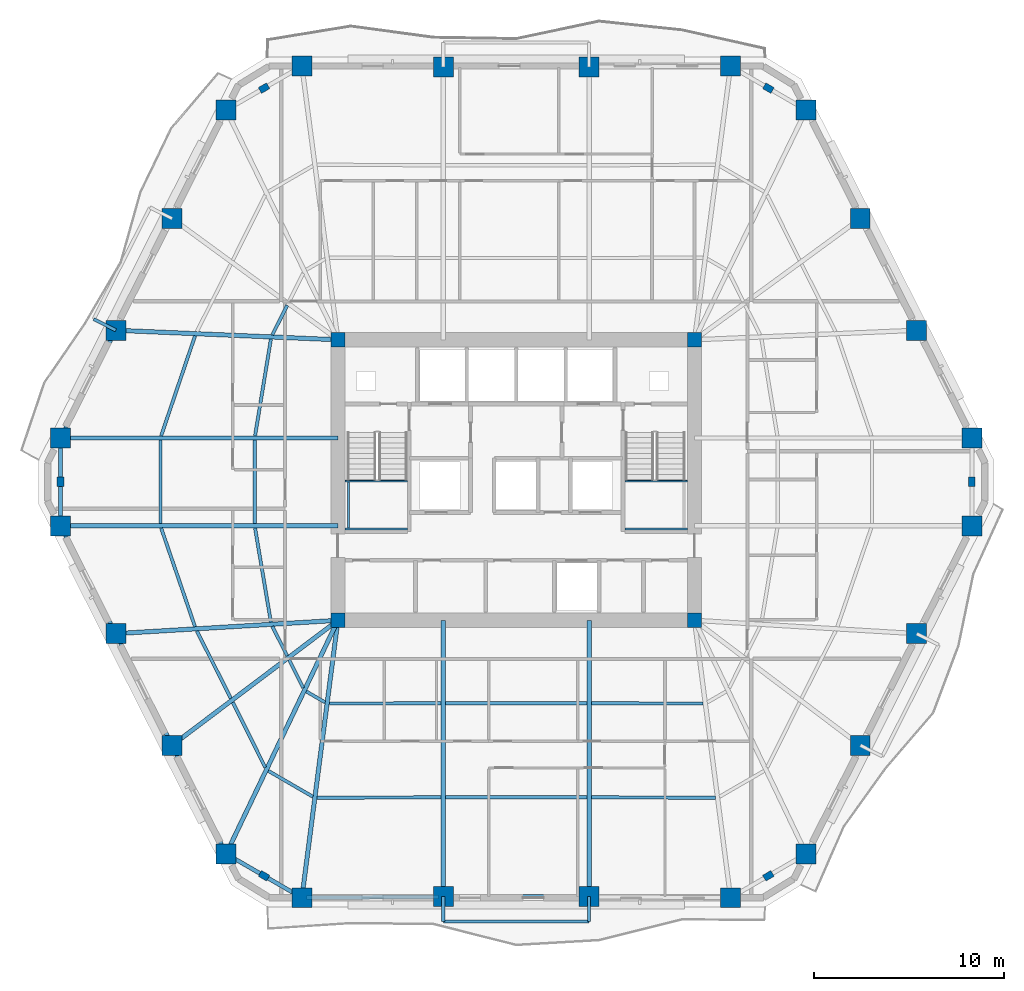
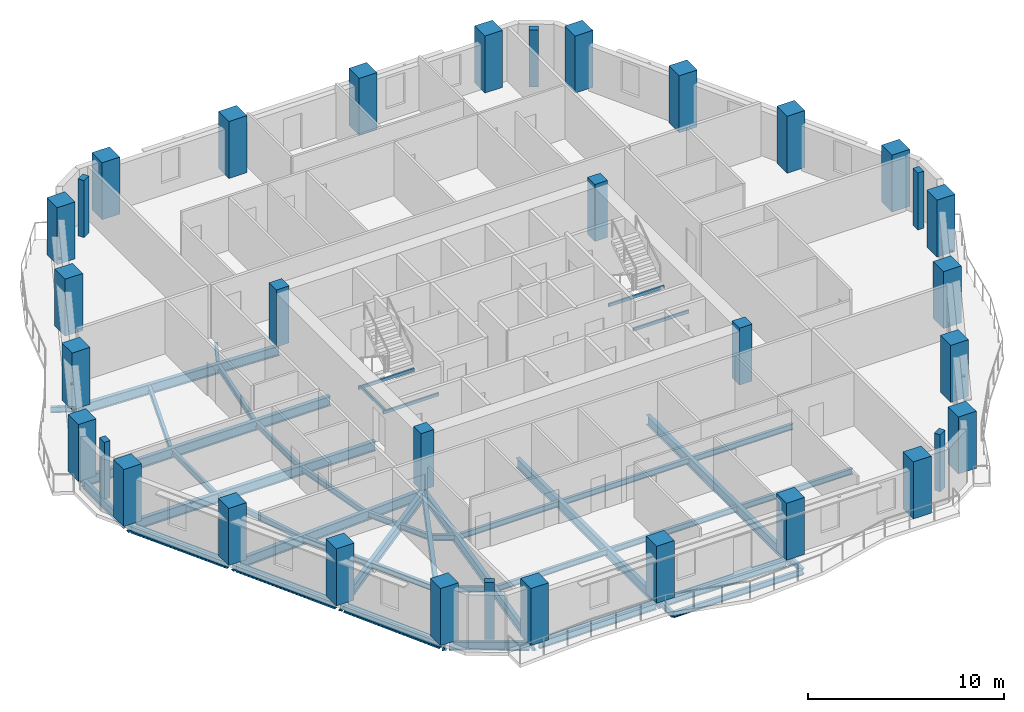
# One storey, part 1 of 12: 45 beams, 34 columns.
"""IFC4 building model written with IfcOpenShell, lengths in metres."""

from ifc_helpers import new_model, si_unit, direction, frame, origin, origin_2d, place, context, subcontext, project, spatial, rectangle, hollow_rectangle, i_section, extrude, material, material_profile, profile_set, type_object, element, save


model = new_model("IFC4")

# Units and contexts
model_context = context("Model", 3, precision=1e-05, world=origin(), true_north=direction((0.0, 1.0)))
body_context = subcontext(model_context, "Body", "Model", "MODEL_VIEW")
ifc_project = project(units=[si_unit("LENGTHUNIT", "METRE"), si_unit("AREAUNIT", "SQUARE_METRE"), si_unit("VOLUMEUNIT", "CUBIC_METRE"), si_unit("PLANEANGLEUNIT", "RADIAN"), si_unit("MASSUNIT", "GRAM", prefix="KILO")], contexts=[model_context])

# Site, building, storey
site_placement = place(None, origin())
site = spatial("IfcSite", under=ifc_project, at=site_placement, CompositionType="ELEMENT")
building_placement = place(site_placement, origin())
building = spatial("IfcBuilding", under=site, at=building_placement, Name="Cinnabar Lancet Tower", CompositionType="ELEMENT")
storey_placement = place(building_placement, frame((0.0, 0.0, 141.0)))
storey = spatial("IfcBuildingStorey", under=building, at=storey_placement, Name="L37", CompositionType="ELEMENT", Elevation=141.0)

# Columns
ifc_material_1 = material(Name="Concrete C70/85", Category="concrete")
ifc_material_profile_1 = material_profile(ifc_material_1, rectangle(XDim=0.75, YDim=0.75, at=origin_2d()), Name="RC-COL 750x750")
ifc_profile_set_1 = profile_set([ifc_material_profile_1], Name="Concrete C70/85")
column_type_1 = type_object("IfcColumnType", Name="STR-COL-CORE-750", PredefinedType="COLUMN", material=ifc_profile_set_1)
for number, where, z_axis, x_axis, name in (
    (1, (23.02490234375, 18.52490234375, 0.0), (0.0, 0.0, 1.0), (1.0, 0.0, 0.0), "L37 Core Corner Column SW"),
    (2, (41.77490234375, 18.52490234375, 0.0), (0.0, 0.0, 1.0), (1.0, 0.0, 0.0), "L37 Core Corner Column SE"),
    (3, (41.77490234375, 33.27490234375, 0.0), (0.0, 0.0, 1.0), (1.0, 0.0, 0.0), "L37 Core Corner Column NE"),
    (4, (23.02490234375, 33.27490234375, 0.0), (0.0, 0.0, 1.0), (1.0, 0.0, 0.0), "L37 Core Corner Column NW"),
):
    element("IfcColumn", number, at=place(storey_placement, frame(where, z_axis=z_axis, x_axis=x_axis)), inside=storey, type_object=column_type_1, Name=name, PredefinedType="COLUMN", context=body_context, shape_type="SweptSolid", body=[
        extrude(rectangle(XDim=0.75, YDim=0.75, at=origin_2d()), origin(), (0.0, 0.0, 1.0), 3.550048828125),
    ])
ifc_material_2 = material(Name="Concrete C60/75", Category="concrete")
ifc_material_profile_2 = material_profile(ifc_material_2, rectangle(XDim=0.5, YDim=0.35009765625, at=origin_2d()), Name="RC-PIL 500x350")
ifc_profile_set_2 = profile_set([ifc_material_profile_2], Name="Concrete C60/75")
column_type_2 = type_object("IfcColumnType", Name="STR-COL-PIL-500", PredefinedType="PILASTER", material=ifc_profile_set_2)
for number, where, z_axis, x_axis, name in (
    (5, (19.14111328125, 5.093017578125, 0.0), (0.0, 0.0, 1.0), (0.865160173452, -0.501495637342, 0.0), "L37 Chamfered Corner Pilaster 1"),
    (6, (45.658935546875, 5.093017578125, 0.0), (0.0, 0.0, 1.0), (0.865160173452, 0.501495637342, 0.0), "L37 Chamfered Corner Pilaster 2"),
    (7, (56.35693359375, 25.800048828125, 0.0), (0.0, 0.0, 1.0), (0.0, 1.0, 0.0), "L37 Chamfered Corner Pilaster 3"),
    (8, (45.658935546875, 46.508056640625, 0.0), (0.0, 0.0, 1.0), (-0.865160173452, 0.501495637342, 0.0), "L37 Chamfered Corner Pilaster 4"),
    (9, (19.14111328125, 46.508056640625, 0.0), (0.0, 0.0, 1.0), (-0.865160173452, -0.501495637342, 0.0), "L37 Chamfered Corner Pilaster 5"),
    (10, (8.443115234375, 25.800048828125, 0.0), (0.0, 0.0, 1.0), (0.0, -1.0, 0.0), "L37 Chamfered Corner Pilaster 6"),
):
    element("IfcColumn", number, at=place(storey_placement, frame(where, z_axis=z_axis, x_axis=x_axis)), inside=storey, type_object=column_type_2, Name=name, PredefinedType="PILASTER", context=body_context, shape_type="SweptSolid", body=[
        extrude(rectangle(XDim=0.5, YDim=0.35009765625, at=origin_2d()), origin(), (0.0, 0.0, 1.0), 3.550048828125),
    ])
ifc_material_3 = material(Name="Concrete C70/85", Category="concrete")
ifc_material_profile_3 = material_profile(ifc_material_3, rectangle(XDim=1.050048828125, YDim=1.050048828125, at=origin_2d()), Name="RC-COL 1050x1050")
ifc_profile_set_3 = profile_set([ifc_material_profile_3], Name="Concrete C70/85")
column_type_3 = type_object("IfcColumnType", Name="STR-COL-TUBE-1050", PredefinedType="COLUMN", material=ifc_profile_set_3)
for number, where, z_axis, x_axis, name in (
    (11, (21.131103515625, 3.93896484375, 0.0), (0.0, 0.0, 1.0), (1.0, 0.0, 0.0), "L37 Perimeter Tube Column 1"),
    (12, (28.568115234375, 3.991943359375, 0.0), (0.0, 0.0, 1.0), (1.0, 0.0, 0.0), "L37 Perimeter Tube Column 2"),
    (13, (36.23193359375, 3.991943359375, 0.0), (0.0, 0.0, 1.0), (1.0, 0.0, 0.0), "L37 Perimeter Tube Column 3"),
    (14, (43.6689453125, 3.93896484375, 0.0), (0.0, 0.0, 1.0), (1.0, 0.0, 0.0), "L37 Perimeter Tube Column 4"),
    (15, (47.64892578125, 6.24609375, 0.0), (0.0, 0.0, 1.0), (1.0, 0.0, 0.0), "L37 Perimeter Tube Column 5"),
    (16, (50.489013671875, 11.955078125, 0.0), (0.0, 0.0, 1.0), (1.0, 0.0, 0.0), "L37 Perimeter Tube Column 6"),
    (17, (53.451904296875, 17.823974609375, 0.0), (0.0, 0.0, 1.0), (1.0, 0.0, 0.0), "L37 Perimeter Tube Column 7"),
    (18, (56.35693359375, 23.490966796875, 0.0), (0.0, 0.0, 1.0), (1.0, 0.0, 0.0), "L37 Perimeter Tube Column 8"),
    (19, (56.35693359375, 28.10888671875, 0.0), (0.0, 0.0, 1.0), (1.0, 0.0, 0.0), "L37 Perimeter Tube Column 9"),
    (20, (53.451904296875, 33.77587890625, 0.0), (0.0, 0.0, 1.0), (1.0, 0.0, 0.0), "L37 Perimeter Tube Column 10"),
    (21, (50.489013671875, 39.64501953125, 0.0), (0.0, 0.0, 1.0), (1.0, 0.0, 0.0), "L37 Perimeter Tube Column 11"),
    (22, (47.64892578125, 45.35400390625, 0.0), (0.0, 0.0, 1.0), (1.0, 0.0, 0.0), "L37 Perimeter Tube Column 12"),
    (23, (43.6689453125, 47.660888671875, 0.0), (0.0, 0.0, 1.0), (1.0, 0.0, 0.0), "L37 Perimeter Tube Column 13"),
    (24, (36.23193359375, 47.60791015625, 0.0), (0.0, 0.0, 1.0), (1.0, 0.0, 0.0), "L37 Perimeter Tube Column 14"),
    (25, (28.568115234375, 47.60791015625, 0.0), (0.0, 0.0, 1.0), (1.0, 0.0, 0.0), "L37 Perimeter Tube Column 15"),
    (26, (21.131103515625, 47.660888671875, 0.0), (0.0, 0.0, 1.0), (1.0, 0.0, 0.0), "L37 Perimeter Tube Column 16"),
    (27, (17.15087890625, 45.35400390625, 0.0), (0.0, 0.0, 1.0), (1.0, 0.0, 0.0), "L37 Perimeter Tube Column 17"),
    (28, (14.31103515625, 39.64501953125, 0.0), (0.0, 0.0, 1.0), (1.0, 0.0, 0.0), "L37 Perimeter Tube Column 18"),
    (29, (11.347900390625, 33.77587890625, 0.0), (0.0, 0.0, 1.0), (1.0, 0.0, 0.0), "L37 Perimeter Tube Column 19"),
    (30, (8.443115234375, 28.10888671875, 0.0), (0.0, 0.0, 1.0), (1.0, 0.0, 0.0), "L37 Perimeter Tube Column 20"),
    (31, (8.443115234375, 23.490966796875, 0.0), (0.0, 0.0, 1.0), (1.0, 0.0, 0.0), "L37 Perimeter Tube Column 21"),
    (32, (11.347900390625, 17.823974609375, 0.0), (0.0, 0.0, 1.0), (1.0, 0.0, 0.0), "L37 Perimeter Tube Column 22"),
    (33, (14.31103515625, 11.955078125, 0.0), (0.0, 0.0, 1.0), (1.0, 0.0, 0.0), "L37 Perimeter Tube Column 23"),
    (34, (17.15087890625, 6.24609375, 0.0), (0.0, 0.0, 1.0), (1.0, 0.0, 0.0), "L37 Perimeter Tube Column 24"),
):
    element("IfcColumn", number, at=place(storey_placement, frame(where, z_axis=z_axis, x_axis=x_axis)), inside=storey, type_object=column_type_3, Name=name, PredefinedType="COLUMN", context=body_context, shape_type="SweptSolid", body=[
        extrude(rectangle(XDim=1.050048828125, YDim=1.050048828125, at=origin_2d()), origin(), (0.0, 0.0, 1.0), 3.550048828125),
    ])

# Beams
ifc_material_4 = material(Name="Structural steel S355", Category="steel")
ifc_material_profile_4 = material_profile(ifc_material_4, i_section(OverallWidth=0.17138671875, OverallDepth=0.35498046875, WebThickness=0.00732421875, FlangeThickness=0.011474609375, FilletRadius=0.01025390625, at=origin_2d()), Name="UKB 356x171x51")
ifc_profile_set_4 = profile_set([ifc_material_profile_4], Name="Structural steel S355")
beam_type_1 = type_object("IfcBeamType", Name="STR-BM-JST-356", PredefinedType="JOIST", material=ifc_profile_set_4)
beam_1_placement = place(storey_placement, frame((13.73193359375, 23.376953125, -0.387939453125), z_axis=(0.324639458548, -0.945837841257, 0.0), x_axis=(0.945837841257, 0.324639458548, 0.0)))
element("IfcBeam", 35, at=beam_1_placement, inside=storey, type_object=beam_type_1, Name="L37 Secondary Floor Joist 1", PredefinedType="JOIST", context=body_context, shape_type="SweptSolid", body=[
    extrude(i_section(OverallWidth=0.17138671875, OverallDepth=0.35498046875, WebThickness=0.00732421875, FlangeThickness=0.011474609375, FilletRadius=0.01025390625, at=origin_2d()), origin(), (0.0, 0.0, 1.0), 5.486083984375),
])
beam_2_placement = place(storey_placement, frame((18.669921875, 23.376953125, -0.387939453125), z_axis=(0.165984412241, -0.986128376477, 0.0), x_axis=(0.986128376477, 0.165984412241, 0.0)))
element("IfcBeam", 36, at=beam_2_placement, inside=storey, type_object=beam_type_1, Name="L37 Secondary Floor Joist 2", PredefinedType="JOIST", context=body_context, shape_type="SweptSolid", body=[
    extrude(i_section(OverallWidth=0.17138671875, OverallDepth=0.35498046875, WebThickness=0.00732421875, FlangeThickness=0.011474609375, FilletRadius=0.01025390625, at=origin_2d()), origin(), (0.0, 0.0, 1.0), 5.0185546875),
])
beam_3_placement = place(storey_placement, frame((15.60791015625, 17.965087890625, -0.387939453125), z_axis=(0.450755070916, -0.892647671841, 0.0), x_axis=(0.892647671841, 0.450755070916, 0.0)))
element("IfcBeam", 37, at=beam_3_placement, inside=storey, type_object=beam_type_1, Name="L37 Secondary Floor Joist 3", PredefinedType="JOIST", context=body_context, shape_type="SweptSolid", body=[
    extrude(i_section(OverallWidth=0.17138671875, OverallDepth=0.35498046875, WebThickness=0.00732421875, FlangeThickness=0.011474609375, FilletRadius=0.01025390625, at=origin_2d()), origin(), (0.0, 0.0, 1.0), 3.966796875),
])
beam_4_placement = place(storey_placement, frame((19.577880859375, 18.2041015625, -0.387939453125), z_axis=(0.450874341268, -0.892587434589, 0.0), x_axis=(0.892587434589, 0.450874341268, 0.0)))
element("IfcBeam", 38, at=beam_4_placement, inside=storey, type_object=beam_type_1, Name="L37 Secondary Floor Joist 4", PredefinedType="JOIST", context=body_context, shape_type="SweptSolid", body=[
    extrude(i_section(OverallWidth=0.17138671875, OverallDepth=0.35498046875, WebThickness=0.00732421875, FlangeThickness=0.011474609375, FilletRadius=0.01025390625, at=origin_2d()), origin(), (0.0, 0.0, 1.0), 1.732177734375),
])
beam_5_placement = place(storey_placement, frame((17.5, 14.216064453125, -0.387939453125), z_axis=(0.445295120803, -0.895383859241, 0.0), x_axis=(0.895383859241, 0.445295120803, 0.0)))
element("IfcBeam", 39, at=beam_5_placement, inside=storey, type_object=beam_type_1, Name="L37 Secondary Floor Joist 5", PredefinedType="JOIST", context=body_context, shape_type="SweptSolid", body=[
    extrude(i_section(OverallWidth=0.17138671875, OverallDepth=0.35498046875, WebThickness=0.00732421875, FlangeThickness=0.011474609375, FilletRadius=0.01025390625, at=origin_2d()), origin(), (0.0, 0.0, 1.0), 3.81982421875),
])
beam_6_placement = place(storey_placement, frame((20.4619140625, 16.449951171875, -0.387939453125), z_axis=(0.445557690111, -0.895253229418, 0.0), x_axis=(0.895253229418, 0.445557690111, 0.0)))
element("IfcBeam", 40, at=beam_6_placement, inside=storey, type_object=beam_type_1, Name="L37 Secondary Floor Joist 6", PredefinedType="JOIST", context=body_context, shape_type="SweptSolid", body=[
    extrude(i_section(OverallWidth=0.17138671875, OverallDepth=0.35498046875, WebThickness=0.00732421875, FlangeThickness=0.011474609375, FilletRadius=0.01025390625, at=origin_2d()), origin(), (0.0, 0.0, 1.0), 1.652099609375),
])
beam_7_placement = place(storey_placement, frame((19.364990234375, 10.60888671875, -0.387939453125), z_axis=(0.865172906898, -0.501473669469, 0.0), x_axis=(0.501473669469, 0.865172906898, 0.0)))
element("IfcBeam", 41, at=beam_7_placement, inside=storey, type_object=beam_type_1, Name="L37 Secondary Floor Joist 7", PredefinedType="JOIST", context=body_context, shape_type="SweptSolid", body=[
    extrude(i_section(OverallWidth=0.17138671875, OverallDepth=0.35498046875, WebThickness=0.00732421875, FlangeThickness=0.011474609375, FilletRadius=0.01025390625, at=origin_2d()), origin(), (0.0, 0.0, 1.0), 2.705810546875),
])
beam_8_placement = place(storey_placement, frame((21.362060546875, 14.783935546875, -0.387939453125), z_axis=(0.865055308165, -0.501676503154, 0.0), x_axis=(0.501676503154, 0.865055308165, 0.0)))
element("IfcBeam", 42, at=beam_8_placement, inside=storey, type_object=beam_type_1, Name="L37 Secondary Floor Joist 8", PredefinedType="JOIST", context=body_context, shape_type="SweptSolid", body=[
    extrude(i_section(OverallWidth=0.17138671875, OverallDepth=0.35498046875, WebThickness=0.00732421875, FlangeThickness=0.011474609375, FilletRadius=0.01025390625, at=origin_2d()), origin(), (0.0, 0.0, 1.0), 1.14208984375),
])
beam_9_placement = place(storey_placement, frame((21.927978515625, 9.19091796875, -0.387939453125), z_axis=(0.999987991898, 0.004900618269, 0.0), x_axis=(-0.004900618269, 0.999987991898, 0.0)))
element("IfcBeam", 43, at=beam_9_placement, inside=storey, type_object=beam_type_1, Name="L37 Secondary Floor Joist 9", PredefinedType="JOIST", context=body_context, shape_type="SweptSolid", body=[
    extrude(i_section(OverallWidth=0.17138671875, OverallDepth=0.35498046875, WebThickness=0.00732421875, FlangeThickness=0.011474609375, FilletRadius=0.01025390625, at=origin_2d()), origin(), (0.0, 0.0, 1.0), 6.526123046875),
])
beam_10_placement = place(storey_placement, frame((22.572021484375, 14.14892578125, -0.387939453125), z_axis=(0.999996247906, 0.002739374605, 0.0), x_axis=(-0.002739374605, 0.999996247906, 0.0)))
element("IfcBeam", 44, at=beam_10_placement, inside=storey, type_object=beam_type_1, Name="L37 Secondary Floor Joist 10", PredefinedType="JOIST", context=body_context, shape_type="SweptSolid", body=[
    extrude(i_section(OverallWidth=0.17138671875, OverallDepth=0.35498046875, WebThickness=0.00732421875, FlangeThickness=0.011474609375, FilletRadius=0.01025390625, at=origin_2d()), origin(), (0.0, 0.0, 1.0), 5.882080078125),
])
for number, where, z_axis, x_axis, name in (
    (45, (28.681884765625, 9.22412109375, -0.387939453125), (1.0, 0.0, 0.0), (0.0, 1.0, 0.0), "L37 Secondary Floor Joist 11"),
    (46, (28.681884765625, 14.1650390625, -0.387939453125), (1.0, 0.0, 0.0), (0.0, 1.0, 0.0), "L37 Secondary Floor Joist 12"),
):
    element("IfcBeam", number, at=place(storey_placement, frame(where, z_axis=z_axis, x_axis=x_axis)), inside=storey, type_object=beam_type_1, Name=name, PredefinedType="JOIST", context=body_context, shape_type="SweptSolid", body=[
        extrude(i_section(OverallWidth=0.17138671875, OverallDepth=0.35498046875, WebThickness=0.00732421875, FlangeThickness=0.011474609375, FilletRadius=0.01025390625, at=origin_2d()), origin(), (0.0, 0.0, 1.0), 7.43603515625),
    ])
beam_11_placement = place(storey_placement, frame((36.345947265625, 9.222900390625, -0.387939453125), z_axis=(0.999987991898, -0.004900618269, 0.0), x_axis=(0.004900618269, 0.999987991898, 0.0)))
element("IfcBeam", 47, at=beam_11_placement, inside=storey, type_object=beam_type_1, Name="L37 Secondary Floor Joist 13", PredefinedType="JOIST", context=body_context, shape_type="SweptSolid", body=[
    extrude(i_section(OverallWidth=0.17138671875, OverallDepth=0.35498046875, WebThickness=0.00732421875, FlangeThickness=0.011474609375, FilletRadius=0.01025390625, at=origin_2d()), origin(), (0.0, 0.0, 1.0), 6.526123046875),
])
beam_12_placement = place(storey_placement, frame((36.345947265625, 14.1650390625, -0.387939453125), z_axis=(0.999996247906, -0.002739374605, 0.0), x_axis=(0.002739374605, 0.999996247906, 0.0)))
element("IfcBeam", 48, at=beam_12_placement, inside=storey, type_object=beam_type_1, Name="L37 Secondary Floor Joist 14", PredefinedType="JOIST", context=body_context, shape_type="SweptSolid", body=[
    extrude(i_section(OverallWidth=0.17138671875, OverallDepth=0.35498046875, WebThickness=0.00732421875, FlangeThickness=0.011474609375, FilletRadius=0.01025390625, at=origin_2d()), origin(), (0.0, 0.0, 1.0), 5.882080078125),
])
beam_13_placement = place(storey_placement, frame((20.35888671875, 35.0830078125, -0.387939453125), z_axis=(-0.450931068976, -0.892558777354, 0.0), x_axis=(0.892558777354, -0.450931068976, 0.0)))
element("IfcBeam", 49, at=beam_13_placement, inside=storey, type_object=beam_type_1, Name="L37 Secondary Floor Joist 44", PredefinedType="JOIST", context=body_context, shape_type="SweptSolid", body=[
    extrude(i_section(OverallWidth=0.17138671875, OverallDepth=0.35498046875, WebThickness=0.00732421875, FlangeThickness=0.011474609375, FilletRadius=0.01025390625, at=origin_2d()), origin(), (0.0, 0.0, 1.0), 1.73193359375),
])
beam_14_placement = place(storey_placement, frame((15.513916015625, 33.48291015625, -0.387939453125), z_axis=(-0.321023911172, -0.947071089442, 0.0), x_axis=(0.947071089442, -0.321023911172, 0.0)))
element("IfcBeam", 50, at=beam_14_placement, inside=storey, type_object=beam_type_1, Name="L37 Secondary Floor Joist 45", PredefinedType="JOIST", context=body_context, shape_type="SweptSolid", body=[
    extrude(i_section(OverallWidth=0.17138671875, OverallDepth=0.35498046875, WebThickness=0.00732421875, FlangeThickness=0.011474609375, FilletRadius=0.01025390625, at=origin_2d()), origin(), (0.0, 0.0, 1.0), 5.553955078125),
])
beam_15_placement = place(storey_placement, frame((19.5029296875, 33.31201171875, -0.387939453125), z_axis=(-0.161719098977, -0.986836832017, 0.0), x_axis=(0.986836832017, -0.161719098977, 0.0)))
element("IfcBeam", 51, at=beam_15_placement, inside=storey, type_object=beam_type_1, Name="L37 Secondary Floor Joist 46", PredefinedType="JOIST", context=body_context, shape_type="SweptSolid", body=[
    extrude(i_section(OverallWidth=0.17138671875, OverallDepth=0.35498046875, WebThickness=0.00732421875, FlangeThickness=0.011474609375, FilletRadius=0.01025390625, at=origin_2d()), origin(), (0.0, 0.0, 1.0), 5.156982421875),
])
for number, where, z_axis, x_axis, name in (
    (52, (13.693115234375, 27.9951171875, -0.387939453125), (0.0, -1.0, 0.0), (1.0, 0.0, 0.0), "L37 Secondary Floor Joist 47"),
    (53, (18.64990234375, 27.9951171875, -0.387939453125), (0.0, -1.0, 0.0), (1.0, 0.0, 0.0), "L37 Secondary Floor Joist 48"),
):
    element("IfcBeam", number, at=place(storey_placement, frame(where, z_axis=z_axis, x_axis=x_axis)), inside=storey, type_object=beam_type_1, Name=name, PredefinedType="JOIST", context=body_context, shape_type="SweptSolid", body=[
        extrude(i_section(OverallWidth=0.17138671875, OverallDepth=0.35498046875, WebThickness=0.00732421875, FlangeThickness=0.011474609375, FilletRadius=0.01025390625, at=origin_2d()), origin(), (0.0, 0.0, 1.0), 4.39013671875),
    ])
ifc_material_5 = material(Name="Structural steel S355", Category="steel")
ifc_material_profile_5 = material_profile(ifc_material_5, hollow_rectangle(XDim=0.10009765625, YDim=0.199951171875, WallThickness=0.008056640625, InnerFilletRadius=0.00390625, OuterFilletRadius=0.011962890625, at=origin_2d()), Name="RHS 200x100x8")
ifc_profile_set_5 = profile_set([ifc_material_profile_5], Name="Structural steel S355")
beam_type_2 = type_object("IfcBeamType", Name="STR-BM-LND-203", PredefinedType="BEAM", material=ifc_profile_set_5)
for number, where, z_axis, x_axis, name in (
    (54, (23.39990234375, 23.330078125, 1.47509765625), (1.0, 0.0, 0.0), (0.0, 1.0, 0.0), "L37 ST-1-L37 Landing Support Beam S"),
    (55, (23.39990234375, 25.844970703125, 1.47509765625), (1.0, 0.0, 0.0), (0.0, 1.0, 0.0), "L37 ST-1-L37 Landing Support Beam N"),
):
    element("IfcBeam", number, at=place(storey_placement, frame(where, z_axis=z_axis, x_axis=x_axis)), inside=storey, type_object=beam_type_2, Name=name, PredefinedType="BEAM", context=body_context, shape_type="SweptSolid", body=[
        extrude(hollow_rectangle(XDim=0.10009765625, YDim=0.199951171875, WallThickness=0.008056640625, InnerFilletRadius=0.00390625, OuterFilletRadius=0.011962890625, at=origin_2d()), origin(), (0.0, 0.0, 1.0), 3.280029296875),
    ])
beam_16_placement = place(storey_placement, frame((23.580078125, 23.3798828125, 1.47509765625), z_axis=(0.0, 1.0, 0.0), x_axis=(-1.0, 0.0, 0.0)))
element("IfcBeam", 56, at=beam_16_placement, inside=storey, type_object=beam_type_2, Name="L37 ST-1-L37 Landing Side Trimmer Beam", PredefinedType="BEAM", context=body_context, shape_type="SweptSolid", body=[
    extrude(hollow_rectangle(XDim=0.10009765625, YDim=0.199951171875, WallThickness=0.008056640625, InnerFilletRadius=0.00390625, OuterFilletRadius=0.011962890625, at=origin_2d()), origin(), (0.0, 0.0, 1.0), 2.4150390625),
])
for number, where, z_axis, x_axis, name in (
    (57, (38.1201171875, 23.330078125, 1.47509765625), (1.0, 0.0, 0.0), (0.0, 1.0, 0.0), "L37 ST-2-L37 Landing Support Beam S"),
    (58, (38.1201171875, 25.844970703125, 1.47509765625), (1.0, 0.0, 0.0), (0.0, 1.0, 0.0), "L37 ST-2-L37 Landing Support Beam N"),
):
    element("IfcBeam", number, at=place(storey_placement, frame(where, z_axis=z_axis, x_axis=x_axis)), inside=storey, type_object=beam_type_2, Name=name, PredefinedType="BEAM", context=body_context, shape_type="SweptSolid", body=[
        extrude(hollow_rectangle(XDim=0.10009765625, YDim=0.199951171875, WallThickness=0.008056640625, InnerFilletRadius=0.00390625, OuterFilletRadius=0.011962890625, at=origin_2d()), origin(), (0.0, 0.0, 1.0), 3.27978515625),
    ])
ifc_material_6 = material(Name="Structural steel S355", Category="steel")
ifc_material_profile_6 = material_profile(ifc_material_6, i_section(OverallWidth=0.209228515625, OverallDepth=0.533203125, WebThickness=0.010009765625, FlangeThickness=0.015625, FilletRadius=0.0126953125, at=origin_2d()), Name="UKB 533x210x92")
ifc_profile_set_6 = profile_set([ifc_material_profile_6], Name="Structural steel S355")
beam_type_3 = type_object("IfcBeamType", Name="STR-BM-SPN-533", PredefinedType="SPANDREL", material=ifc_profile_set_6)
beam_17_placement = place(storey_placement, frame((21.381103515625, 3.94091796875, -0.47705078125), z_axis=(0.999974980359, 0.007073800628, 0.0), x_axis=(-0.007073800628, 0.999974980359, 0.0)))
element("IfcBeam", 59, at=beam_17_placement, inside=storey, type_object=beam_type_3, Name="L37 Perimeter Spandrel 1", PredefinedType="SPANDREL", context=body_context, shape_type="SweptSolid", body=[
    extrude(i_section(OverallWidth=0.209228515625, OverallDepth=0.533203125, WebThickness=0.010009765625, FlangeThickness=0.015625, FilletRadius=0.0126953125, at=origin_2d()), origin(), (0.0, 0.0, 1.0), 6.937255859375),
])
beam_18_placement = place(storey_placement, frame((28.818115234375, 3.991943359375, -0.47705078125), z_axis=(1.0, 0.0, 0.0), x_axis=(0.0, 1.0, 0.0)))
element("IfcBeam", 60, at=beam_18_placement, inside=storey, type_object=beam_type_3, Name="L37 Perimeter Spandrel 2", PredefinedType="SPANDREL", context=body_context, shape_type="SweptSolid", body=[
    extrude(i_section(OverallWidth=0.209228515625, OverallDepth=0.533203125, WebThickness=0.010009765625, FlangeThickness=0.015625, FilletRadius=0.0126953125, at=origin_2d()), origin(), (0.0, 0.0, 1.0), 7.163818359375),
])
beam_19_placement = place(storey_placement, frame((11.23388671875, 33.553955078125, -0.47705078125), z_axis=(-0.456126618405, -0.889914888055, 0.0), x_axis=(0.889914888055, -0.456126618405, 0.0)))
element("IfcBeam", 61, at=beam_19_placement, inside=storey, type_object=beam_type_3, Name="L37 Perimeter Spandrel 19", PredefinedType="SPANDREL", context=body_context, shape_type="SweptSolid", body=[
    extrude(i_section(OverallWidth=0.209228515625, OverallDepth=0.533203125, WebThickness=0.010009765625, FlangeThickness=0.015625, FilletRadius=0.0126953125, at=origin_2d()), origin(), (0.0, 0.0, 1.0), 5.868896484375),
])
beam_20_placement = place(storey_placement, frame((8.443115234375, 27.85888671875, -0.47705078125), z_axis=(0.0, -1.0, 0.0), x_axis=(1.0, 0.0, 0.0)))
element("IfcBeam", 62, at=beam_20_placement, inside=storey, type_object=beam_type_3, Name="L37 Perimeter Spandrel 20", PredefinedType="SPANDREL", context=body_context, shape_type="SweptSolid", body=[
    extrude(i_section(OverallWidth=0.209228515625, OverallDepth=0.533203125, WebThickness=0.010009765625, FlangeThickness=0.015625, FilletRadius=0.0126953125, at=origin_2d()), origin(), (0.0, 0.0, 1.0), 4.117919921875),
])
beam_21_placement = place(storey_placement, frame((8.556884765625, 23.26904296875, -0.47705078125), z_axis=(0.456109733574, -0.889923542187, 0.0), x_axis=(0.889923542187, 0.456109733574, 0.0)))
element("IfcBeam", 63, at=beam_21_placement, inside=storey, type_object=beam_type_3, Name="L37 Perimeter Spandrel 21", PredefinedType="SPANDREL", context=body_context, shape_type="SweptSolid", body=[
    extrude(i_section(OverallWidth=0.209228515625, OverallDepth=0.533203125, WebThickness=0.010009765625, FlangeThickness=0.015625, FilletRadius=0.0126953125, at=origin_2d()), origin(), (0.0, 0.0, 1.0), 5.869140625),
])
beam_22_placement = place(storey_placement, frame((11.4609375, 17.60107421875, -0.47705078125), z_axis=(0.450570325924, -0.892740937449, 0.0), x_axis=(0.892740937449, 0.450570325924, 0.0)))
element("IfcBeam", 64, at=beam_22_placement, inside=storey, type_object=beam_type_3, Name="L37 Perimeter Spandrel 22", PredefinedType="SPANDREL", context=body_context, shape_type="SweptSolid", body=[
    extrude(i_section(OverallWidth=0.209228515625, OverallDepth=0.533203125, WebThickness=0.010009765625, FlangeThickness=0.015625, FilletRadius=0.0126953125, at=origin_2d()), origin(), (0.0, 0.0, 1.0), 6.07470703125),
])
beam_23_placement = place(storey_placement, frame((14.422119140625, 11.73095703125, -0.47705078125), z_axis=(0.445501068635, -0.89528140707, 0.0), x_axis=(0.89528140707, 0.445501068635, 0.0)))
element("IfcBeam", 65, at=beam_23_placement, inside=storey, type_object=beam_type_3, Name="L37 Perimeter Spandrel 23", PredefinedType="SPANDREL", context=body_context, shape_type="SweptSolid", body=[
    extrude(i_section(OverallWidth=0.209228515625, OverallDepth=0.533203125, WebThickness=0.010009765625, FlangeThickness=0.015625, FilletRadius=0.0126953125, at=origin_2d()), origin(), (0.0, 0.0, 1.0), 5.87646484375),
])
beam_24_placement = place(storey_placement, frame((17.366943359375, 6.12109375, -0.47705078125), z_axis=(0.865112299906, -0.501578217781, 0.0), x_axis=(0.501578217781, 0.865112299906, 0.0)))
element("IfcBeam", 66, at=beam_24_placement, inside=storey, type_object=beam_type_3, Name="L37 Perimeter Spandrel 24", PredefinedType="SPANDREL", context=body_context, shape_type="SweptSolid", body=[
    extrude(i_section(OverallWidth=0.209228515625, OverallDepth=0.533203125, WebThickness=0.010009765625, FlangeThickness=0.015625, FilletRadius=0.0126953125, at=origin_2d()), origin(), (0.0, 0.0, 1.0), 4.101318359375),
])
ifc_material_7 = material(Name="Structural steel S355", Category="steel")
ifc_material_profile_7 = material_profile(ifc_material_7, i_section(OverallWidth=0.228271484375, OverallDepth=0.607666015625, WebThickness=0.010986328125, FlangeThickness=0.017333984375, FilletRadius=0.0126953125, at=origin_2d()), Name="UKB 610x229x113")
ifc_profile_set_7 = profile_set([ifc_material_profile_7], Name="Structural steel S355")
beam_type_4 = type_object("IfcBeamType", Name="STR-BM-UKB610-113", PredefinedType="BEAM", material=ifc_profile_set_7)
beam_25_placement = place(storey_placement, frame((14.31103515625, 11.955078125, -0.513916015625), z_axis=(0.798483350078, 0.602016893158, 0.0), x_axis=(-0.602016893158, 0.798483350078, 0.0)))
element("IfcBeam", 67, at=beam_25_placement, inside=storey, type_object=beam_type_4, Name="L37 Corner Collector Girder 1", PredefinedType="BEAM", context=body_context, shape_type="SweptSolid", body=[
    extrude(i_section(OverallWidth=0.228271484375, OverallDepth=0.607666015625, WebThickness=0.010986328125, FlangeThickness=0.017333984375, FilletRadius=0.0126953125, at=origin_2d()), origin(), (0.0, 0.0, 1.0), 10.9130859375),
])
beam_26_placement = place(storey_placement, frame((21.131103515625, 3.93896484375, -0.513916015625), z_axis=(0.128756570002, 0.991676230269, 0.0), x_axis=(-0.991676230269, 0.128756570002, 0.0)))
element("IfcBeam", 68, at=beam_26_placement, inside=storey, type_object=beam_type_4, Name="L37 Primary Floor Girder 1", PredefinedType="BEAM", context=body_context, shape_type="SweptSolid", body=[
    extrude(i_section(OverallWidth=0.228271484375, OverallDepth=0.607666015625, WebThickness=0.010986328125, FlangeThickness=0.017333984375, FilletRadius=0.0126953125, at=origin_2d()), origin(), (0.0, 0.0, 1.0), 14.708251953125),
])
for number, where, z_axis, x_axis, name in (
    (69, (28.568115234375, 3.991943359375, -0.513916015625), (0.0, 1.0, 0.0), (-1.0, 0.0, 0.0), "L37 Primary Floor Girder 2"),
    (70, (36.23193359375, 3.991943359375, -0.513916015625), (0.0, 1.0, 0.0), (-1.0, 0.0, 0.0), "L37 Primary Floor Girder 3"),
):
    element("IfcBeam", number, at=place(storey_placement, frame(where, z_axis=z_axis, x_axis=x_axis)), inside=storey, type_object=beam_type_4, Name=name, PredefinedType="BEAM", context=body_context, shape_type="SweptSolid", body=[
        extrude(i_section(OverallWidth=0.228271484375, OverallDepth=0.607666015625, WebThickness=0.010986328125, FlangeThickness=0.017333984375, FilletRadius=0.0126953125, at=origin_2d()), origin(), (0.0, 0.0, 1.0), 14.532958984375),
    ])
beam_27_placement = place(storey_placement, frame((11.347900390625, 33.77587890625, -0.513916015625), z_axis=(0.999080941658, -0.042863411158, 0.0), x_axis=(0.042863411158, 0.999080941658, 0.0)))
element("IfcBeam", 71, at=beam_27_placement, inside=storey, type_object=beam_type_4, Name="L37 Primary Floor Girder 19", PredefinedType="BEAM", context=body_context, shape_type="SweptSolid", body=[
    extrude(i_section(OverallWidth=0.228271484375, OverallDepth=0.607666015625, WebThickness=0.010986328125, FlangeThickness=0.017333984375, FilletRadius=0.0126953125, at=origin_2d()), origin(), (0.0, 0.0, 1.0), 11.687744140625),
])
for number, where, z_axis, x_axis, name in (
    (72, (8.443115234375, 28.10888671875, -0.513916015625), (1.0, 0.0, 0.0), (0.0, 1.0, 0.0), "L37 Primary Floor Girder 20"),
    (73, (8.443115234375, 23.490966796875, -0.513916015625), (1.0, 0.0, 0.0), (0.0, 1.0, 0.0), "L37 Primary Floor Girder 21"),
):
    element("IfcBeam", number, at=place(storey_placement, frame(where, z_axis=z_axis, x_axis=x_axis)), inside=storey, type_object=beam_type_4, Name=name, PredefinedType="BEAM", context=body_context, shape_type="SweptSolid", body=[
        extrude(i_section(OverallWidth=0.228271484375, OverallDepth=0.607666015625, WebThickness=0.010986328125, FlangeThickness=0.017333984375, FilletRadius=0.0126953125, at=origin_2d()), origin(), (0.0, 0.0, 1.0), 14.581787109375),
    ])
beam_28_placement = place(storey_placement, frame((11.347900390625, 17.823974609375, -0.513916015625), z_axis=(0.998203272991, 0.059918492897, 0.0), x_axis=(-0.059918492897, 0.998203272991, 0.0)))
element("IfcBeam", 74, at=beam_28_placement, inside=storey, type_object=beam_type_4, Name="L37 Primary Floor Girder 22", PredefinedType="BEAM", context=body_context, shape_type="SweptSolid", body=[
    extrude(i_section(OverallWidth=0.228271484375, OverallDepth=0.607666015625, WebThickness=0.010986328125, FlangeThickness=0.017333984375, FilletRadius=0.0126953125, at=origin_2d()), origin(), (0.0, 0.0, 1.0), 11.697998046875),
])
beam_29_placement = place(storey_placement, frame((17.15087890625, 6.24609375, -0.513916015625), z_axis=(0.431548156881, 0.902089900339, 0.0), x_axis=(-0.902089900339, 0.431548156881, 0.0)))
element("IfcBeam", 75, at=beam_29_placement, inside=storey, type_object=beam_type_4, Name="L37 Primary Floor Girder 24", PredefinedType="BEAM", context=body_context, shape_type="SweptSolid", body=[
    extrude(i_section(OverallWidth=0.228271484375, OverallDepth=0.607666015625, WebThickness=0.010986328125, FlangeThickness=0.017333984375, FilletRadius=0.0126953125, at=origin_2d()), origin(), (0.0, 0.0, 1.0), 13.611572265625),
])
ifc_material_8 = material(Name="Structural steel S355", Category="steel")
ifc_material_profile_8 = material_profile(ifc_material_8, i_section(OverallWidth=0.17138671875, OverallDepth=0.35498046875, WebThickness=0.00732421875, FlangeThickness=0.011474609375, FilletRadius=0.01025390625, at=origin_2d()), Name="UKB 356x171x51")
ifc_profile_set_8 = profile_set([ifc_material_profile_8], Name="Structural steel S355")
beam_type_5 = type_object("IfcBeamType", Name="STR-BM-WAV-OUT", PredefinedType="BEAM", material=ifc_profile_set_8)
for number, where, z_axis, x_axis, name in (
    (76, (28.568115234375, 3.991943359375, -0.39794921875), (0.0, -1.0, 0.0), (1.0, 0.0, 0.0), "L37 Face 1 Balcony Outlooker A"),
    (77, (36.23193359375, 3.991943359375, -0.39794921875), (0.0, -1.0, 0.0), (1.0, 0.0, 0.0), "L37 Face 1 Balcony Outlooker B"),
    (78, (11.347900390625, 33.77587890625, -0.39794921875), (-0.892200264127, 0.451639998995, 0.0), (-0.451639998995, -0.892200264127, 0.0), "L37 Face 5 Balcony Outlooker B"),
):
    element("IfcBeam", number, at=place(storey_placement, frame(where, z_axis=z_axis, x_axis=x_axis)), inside=storey, type_object=beam_type_5, Name=name, PredefinedType="BEAM", context=body_context, shape_type="SweptSolid", body=[
        extrude(i_section(OverallWidth=0.17138671875, OverallDepth=0.35498046875, WebThickness=0.00732421875, FlangeThickness=0.011474609375, FilletRadius=0.01025390625, at=origin_2d()), origin(), (0.0, 0.0, 1.0), 1.300048828125),
    ])
ifc_material_9 = material(Name="Structural steel S355", Category="steel")
ifc_material_profile_9 = material_profile(ifc_material_9, i_section(OverallWidth=0.17138671875, OverallDepth=0.35498046875, WebThickness=0.00732421875, FlangeThickness=0.011474609375, FilletRadius=0.01025390625, at=origin_2d()), Name="UKB 356x171x51")
ifc_profile_set_9 = profile_set([ifc_material_profile_9], Name="Structural steel S355")
beam_type_6 = type_object("IfcBeamType", Name="STR-BM-WAV-TRIM", PredefinedType="SPANDREL", material=ifc_profile_set_9)
beam_30_placement = place(storey_placement, frame((28.568115234375, 2.69189453125, -0.39794921875), z_axis=(1.0, 0.0, 0.0), x_axis=(0.0, 1.0, 0.0)))
element("IfcBeam", 79, at=beam_30_placement, inside=storey, type_object=beam_type_6, Name="L37 Face 1 Balcony Edge Trimmer", PredefinedType="SPANDREL", context=body_context, shape_type="SweptSolid", body=[
    extrude(i_section(OverallWidth=0.17138671875, OverallDepth=0.35498046875, WebThickness=0.00732421875, FlangeThickness=0.011474609375, FilletRadius=0.01025390625, at=origin_2d()), origin(), (0.0, 0.0, 1.0), 7.663818359375),
])

save(model, "model.ifc")
